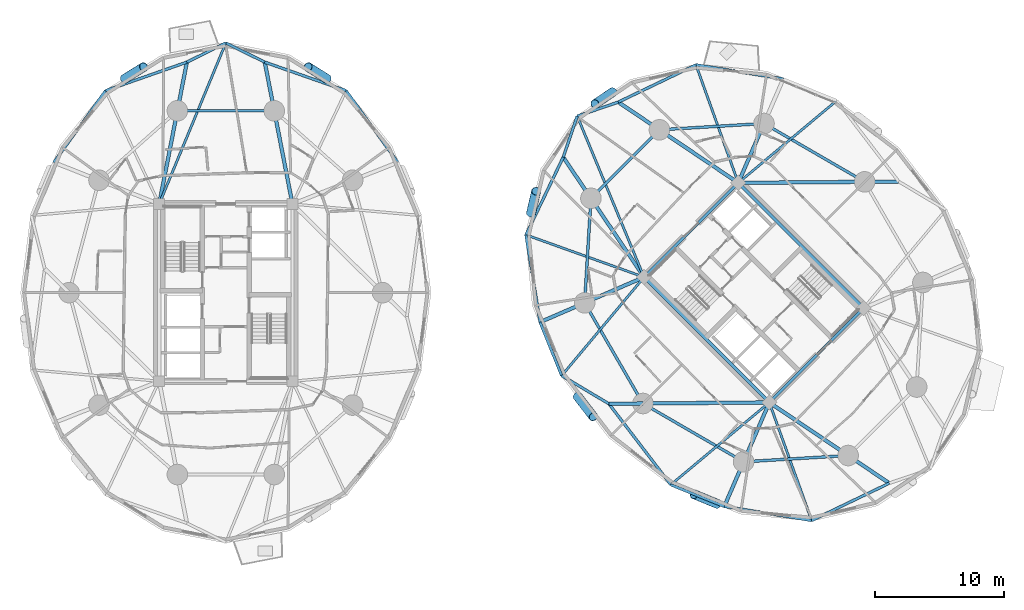
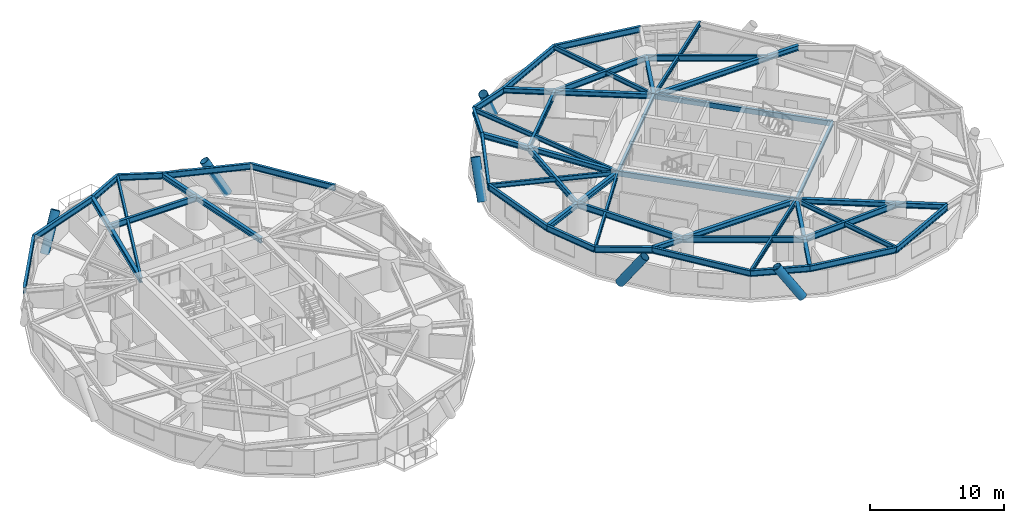
# One storey, part 5 of 18: 49 beams, 6 members.
"""IFC4 building model written with IfcOpenShell, lengths in metres."""

from ifc_helpers import new_model, si_unit, direction, frame, origin, origin_2d, place, context, subcontext, project, spatial, hollow_rectangle, hollow_circle, i_section, extrude, material, material_profile, profile_set, type_object, element, save


model = new_model("IFC4")

# Units and contexts
model_context = context("Model", 3, precision=1e-05, world=origin(), true_north=direction((0.0, 1.0)))
body_context = subcontext(model_context, "Body", "Model", "MODEL_VIEW")
ifc_project = project(units=[si_unit("LENGTHUNIT", "METRE"), si_unit("AREAUNIT", "SQUARE_METRE"), si_unit("VOLUMEUNIT", "CUBIC_METRE"), si_unit("PLANEANGLEUNIT", "RADIAN"), si_unit("MASSUNIT", "GRAM", prefix="KILO")], contexts=[model_context])

# Site, building, storey
site_placement = place(None, origin())
site = spatial("IfcSite", under=ifc_project, at=site_placement, CompositionType="ELEMENT")
building_placement = place(site_placement, origin())
building = spatial("IfcBuilding", under=site, at=building_placement, Name="Cununo Teusaquillo Station Towers", CompositionType="ELEMENT")
storey_placement = place(building_placement, frame((0.0, 0.0, 51.10009765625)))
storey = spatial("IfcBuildingStorey", under=building, at=storey_placement, Name="L15", CompositionType="ELEMENT", Elevation=51.10009765625)

# Beams
ifc_material_1 = material(Name="Steel EN 10025-2 S355J2", Category="steel")
ifc_material_profile_1 = material_profile(ifc_material_1, hollow_rectangle(XDim=0.25, YDim=0.449951171875, WallThickness=0.01611328125, at=origin_2d()), Name="RHS 450x250x16")
ifc_profile_set_1 = profile_set([ifc_material_profile_1], Name="Steel EN 10025-2 S355J2")
beam_type_1 = type_object("IfcBeamType", Name="BM-COUP-1", PredefinedType="USERDEFINED", material=ifc_profile_set_1)
for number, where, z_axis, x_axis, name in (
    (1, (58.70556640625, 15.975830078125, 2.4248046875), (-0.707106781187, 0.707106781187, 0.0), (-0.707106781187, -0.707106781187, 0.0), "L15 Tower B Core Beam 1"),
    (2, (66.024169921875, 23.29443359375, 2.4248046875), (-0.707106781187, 0.707106781187, 0.0), (-0.707106781187, -0.707106781187, 0.0), "L15 Tower B Core Beam 2"),
):
    element("IfcBeam", number, at=place(storey_placement, frame(where, z_axis=z_axis, x_axis=x_axis)), inside=storey, type_object=beam_type_1, Name=name, ObjectType="COUPLING BEAM", PredefinedType="USERDEFINED", context=body_context, shape_type="SweptSolid", body=[
        extrude(hollow_rectangle(XDim=0.25, YDim=0.449951171875, WallThickness=0.01611328125, at=origin_2d()), origin(), (0.0, 0.0, 1.0), 13.760009765625),
    ])
ifc_material_2 = material(Name="Steel ASTM A572 Grade 50", Category="steel")
ifc_material_profile_2 = material_profile(ifc_material_2, i_section(OverallWidth=0.180908203125, OverallDepth=0.4169921875, WebThickness=0.010986328125, FlangeThickness=0.018310546875, FilletRadius=0.012939453125, at=origin_2d()), Name="W16X57")
ifc_profile_set_2 = profile_set([ifc_material_profile_2], Name="Steel ASTM A572 Grade 50")
beam_type_2 = type_object("IfcBeamType", Name="BM-JOIST-1", PredefinedType="JOIST", material=ifc_profile_set_2)
beam_1_placement = place(storey_placement, frame((11.324951171875, 31.3798828125, 2.44140625), z_axis=(0.382256753081, 0.924056153447, 0.0), x_axis=(-0.924056153447, 0.382256753081, 0.0)))
element("IfcBeam", 3, at=beam_1_placement, inside=storey, type_object=beam_type_2, Name="L15 Tower A Radial Spandrel Joist V05", PredefinedType="JOIST", context=body_context, shape_type="SweptSolid", body=[
    extrude(i_section(OverallWidth=0.180908203125, OverallDepth=0.4169921875, WebThickness=0.010986328125, FlangeThickness=0.018310546875, FilletRadius=0.012939453125, at=origin_2d()), origin(), (0.0, 0.0, 1.0), 13.5380859375),
])
beam_2_placement = place(storey_placement, frame((56.29443359375, 33.024169921875, 2.44140625), z_axis=(0.767277092139, 0.641315728701, 0.0), x_axis=(-0.641315728701, 0.767277092139, 0.0)))
element("IfcBeam", 4, at=beam_2_placement, inside=storey, type_object=beam_type_2, Name="L15 Tower B Radial Spandrel Joist V01", PredefinedType="JOIST", context=body_context, shape_type="SweptSolid", body=[
    extrude(i_section(OverallWidth=0.180908203125, OverallDepth=0.4169921875, WebThickness=0.010986328125, FlangeThickness=0.018310546875, FilletRadius=0.012939453125, at=origin_2d()), origin(), (0.0, 0.0, 1.0), 9.97021484375),
])
beam_3_placement = place(storey_placement, frame((56.29443359375, 33.024169921875, 2.44140625), z_axis=(-0.337279411522, 0.941404588136, 0.0), x_axis=(-0.941404588136, -0.337279411522, 0.0)))
element("IfcBeam", 5, at=beam_3_placement, inside=storey, type_object=beam_type_2, Name="L15 Tower B Radial Spandrel Joist V03", PredefinedType="JOIST", context=body_context, shape_type="SweptSolid", body=[
    extrude(i_section(OverallWidth=0.180908203125, OverallDepth=0.4169921875, WebThickness=0.010986328125, FlangeThickness=0.018310546875, FilletRadius=0.012939453125, at=origin_2d()), origin(), (0.0, 0.0, 1.0), 9.740234375),
])
beam_4_placement = place(storey_placement, frame((48.975830078125, 25.70556640625, 2.44140625), z_axis=(-0.383107724927, 0.923703670612, 0.0), x_axis=(-0.923703670612, -0.383107724927, 0.0)))
element("IfcBeam", 6, at=beam_4_placement, inside=storey, type_object=beam_type_2, Name="L15 Tower B Radial Spandrel Joist V05", PredefinedType="JOIST", context=body_context, shape_type="SweptSolid", body=[
    extrude(i_section(OverallWidth=0.180908203125, OverallDepth=0.4169921875, WebThickness=0.010986328125, FlangeThickness=0.018310546875, FilletRadius=0.012939453125, at=origin_2d()), origin(), (0.0, 0.0, 1.0), 13.5380859375),
])
beam_5_placement = place(storey_placement, frame((48.975830078125, 25.70556640625, 2.44140625), z_axis=(-0.941404588136, 0.337279411522, 0.0), x_axis=(-0.337279411522, -0.941404588136, 0.0)))
element("IfcBeam", 7, at=beam_5_placement, inside=storey, type_object=beam_type_2, Name="L15 Tower B Radial Spandrel Joist V07", PredefinedType="JOIST", context=body_context, shape_type="SweptSolid", body=[
    extrude(i_section(OverallWidth=0.180908203125, OverallDepth=0.4169921875, WebThickness=0.010986328125, FlangeThickness=0.018310546875, FilletRadius=0.012939453125, at=origin_2d()), origin(), (0.0, 0.0, 1.0), 9.740234375),
])
for number, where, z_axis, x_axis, name in (
    (8, (48.975830078125, 25.70556640625, 2.44140625), (-0.641315728701, -0.767277092139, 0.0), (0.767277092139, -0.641315728701, 0.0), "L15 Tower B Radial Spandrel Joist V09"),
    (9, (58.70556640625, 15.975830078125, 2.44140625), (-0.767277092139, -0.641315728701, 0.0), (0.641315728701, -0.767277092139, 0.0), "L15 Tower B Radial Spandrel Joist V11"),
):
    element("IfcBeam", number, at=place(storey_placement, frame(where, z_axis=z_axis, x_axis=x_axis)), inside=storey, type_object=beam_type_2, Name=name, PredefinedType="JOIST", context=body_context, shape_type="SweptSolid", body=[
        extrude(i_section(OverallWidth=0.180908203125, OverallDepth=0.4169921875, WebThickness=0.010986328125, FlangeThickness=0.018310546875, FilletRadius=0.012939453125, at=origin_2d()), origin(), (0.0, 0.0, 1.0), 9.97021484375),
    ])
beam_6_placement = place(storey_placement, frame((58.70556640625, 15.975830078125, 2.44140625), z_axis=(0.337279411522, -0.941404588136, 0.0), x_axis=(0.941404588136, 0.337279411522, 0.0)))
element("IfcBeam", 10, at=beam_6_placement, inside=storey, type_object=beam_type_2, Name="L15 Tower B Radial Spandrel Joist V13", PredefinedType="JOIST", context=body_context, shape_type="SweptSolid", body=[
    extrude(i_section(OverallWidth=0.180908203125, OverallDepth=0.4169921875, WebThickness=0.010986328125, FlangeThickness=0.018310546875, FilletRadius=0.012939453125, at=origin_2d()), origin(), (0.0, 0.0, 1.0), 9.740234375),
])
ifc_material_3 = material(Name="Steel ASTM A572 Grade 50", Category="steel")
ifc_material_profile_3 = material_profile(ifc_material_3, i_section(OverallWidth=0.2041015625, OverallDepth=0.35009765625, WebThickness=0.008544921875, FlangeThickness=0.01513671875, FilletRadius=0.011962890625, at=origin_2d()), Name="W14X48")
ifc_profile_set_3 = profile_set([ifc_material_profile_3], Name="Steel ASTM A572 Grade 50")
beam_type_3 = type_object("IfcBeamType", Name="BM-LINTEL-1", PredefinedType="LINTEL", material=ifc_profile_set_3)
for number, where, z_axis, x_axis, name in (
    (11, (58.70556640625, 15.975830078125, 2.474853515625), (0.707106781187, 0.707106781187, 0.0), (-0.707106781187, 0.707106781187, 0.0), "L15 Tower B Core Beam 3"),
    (12, (48.975830078125, 25.70556640625, 2.474853515625), (0.707106781187, 0.707106781187, 0.0), (-0.707106781187, 0.707106781187, 0.0), "L15 Tower B Core Beam 4"),
):
    element("IfcBeam", number, at=place(storey_placement, frame(where, z_axis=z_axis, x_axis=x_axis)), inside=storey, type_object=beam_type_3, Name=name, PredefinedType="LINTEL", context=body_context, shape_type="SweptSolid", body=[
        extrude(i_section(OverallWidth=0.2041015625, OverallDepth=0.35009765625, WebThickness=0.008544921875, FlangeThickness=0.01513671875, FilletRadius=0.011962890625, at=origin_2d()), origin(), (0.0, 0.0, 1.0), 10.35009765625),
    ])
ifc_material_4 = material(Name="Steel ASTM A572 Grade 50", Category="steel")
ifc_material_profile_4 = material_profile(ifc_material_4, i_section(OverallWidth=0.280029296875, OverallDepth=0.462890625, WebThickness=0.0107421875, FlangeThickness=0.017333984375, FilletRadius=0.013916015625, at=origin_2d()), Name="W18X76")
ifc_profile_set_4 = profile_set([ifc_material_profile_4], Name="Steel ASTM A572 Grade 50")
beam_type_4 = type_object("IfcBeamType", Name="BM-RAD-G1", PredefinedType="BEAM", material=ifc_profile_set_4)
for number, where, z_axis, x_axis, name in (
    (13, (21.675048828125, 31.3798828125, 2.41845703125), (-0.191552755713, 0.981482318628, 0.0), (-0.981482318628, -0.191552755713, 0.0), "L15 Tower A Continuous Overhanging Radial Girder 03"),
    (14, (11.324951171875, 31.3798828125, 2.41845703125), (0.191552755713, 0.981482318628, 0.0), (-0.981482318628, 0.191552755713, 0.0), "L15 Tower A Continuous Overhanging Radial Girder 04"),
):
    element("IfcBeam", number, at=place(storey_placement, frame(where, z_axis=z_axis, x_axis=x_axis)), inside=storey, type_object=beam_type_4, Name=name, PredefinedType="BEAM", context=body_context, shape_type="SweptSolid", body=[
        extrude(i_section(OverallWidth=0.280029296875, OverallDepth=0.462890625, WebThickness=0.0107421875, FlangeThickness=0.017333984375, FilletRadius=0.013916015625, at=origin_2d()), origin(), (0.0, 0.0, 1.0), 11.22998046875),
    ])
beam_7_placement = place(storey_placement, frame((56.29443359375, 33.024169921875, 2.41845703125), z_axis=(0.999964334348, 0.008445710917, 0.0), x_axis=(-0.008445710917, 0.999964334348, 0.0)))
element("IfcBeam", 15, at=beam_7_placement, inside=storey, type_object=beam_type_4, Name="L15 Tower B Continuous Overhanging Radial Girder 01", PredefinedType="BEAM", context=body_context, shape_type="SweptSolid", body=[
    extrude(i_section(OverallWidth=0.280029296875, OverallDepth=0.462890625, WebThickness=0.0107421875, FlangeThickness=0.017333984375, FilletRadius=0.013916015625, at=origin_2d()), origin(), (0.0, 0.0, 1.0), 12.458984375),
])
beam_8_placement = place(storey_placement, frame((56.29443359375, 33.024169921875, 2.41845703125), z_axis=(0.397346986387, 0.917668443616, 0.0), x_axis=(-0.917668443616, 0.397346986387, 0.0)))
element("IfcBeam", 16, at=beam_8_placement, inside=storey, type_object=beam_type_4, Name="L15 Tower B Radial Girder 02A", PredefinedType="BEAM", context=body_context, shape_type="SweptSolid", body=[
    extrude(i_section(OverallWidth=0.280029296875, OverallDepth=0.462890625, WebThickness=0.0107421875, FlangeThickness=0.017333984375, FilletRadius=0.013916015625, at=origin_2d()), origin(), (0.0, 0.0, 1.0), 5.02490234375),
])
for number, where, z_axis, x_axis, name in (
    (17, (56.29443359375, 33.024169921875, 2.41845703125), (-0.82945583878, 0.558572297481, 0.0), (-0.558572297481, -0.82945583878, 0.0), "L15 Tower B Continuous Overhanging Radial Girder 03"),
    (18, (48.975830078125, 25.70556640625, 2.41845703125), (-0.558572297481, 0.82945583878, 0.0), (-0.82945583878, -0.558572297481, 0.0), "L15 Tower B Continuous Overhanging Radial Girder 04"),
):
    element("IfcBeam", number, at=place(storey_placement, frame(where, z_axis=z_axis, x_axis=x_axis)), inside=storey, type_object=beam_type_4, Name=name, PredefinedType="BEAM", context=body_context, shape_type="SweptSolid", body=[
        extrude(i_section(OverallWidth=0.280029296875, OverallDepth=0.462890625, WebThickness=0.0107421875, FlangeThickness=0.017333984375, FilletRadius=0.013916015625, at=origin_2d()), origin(), (0.0, 0.0, 1.0), 11.22998046875),
    ])
beam_9_placement = place(storey_placement, frame((48.975830078125, 25.70556640625, 2.41845703125), z_axis=(-0.917660203996, -0.397366015157, 0.0), x_axis=(0.397366015157, -0.917660203996, 0.0)))
element("IfcBeam", 19, at=beam_9_placement, inside=storey, type_object=beam_type_4, Name="L15 Tower B Continuous Overhanging Radial Girder 05", PredefinedType="BEAM", context=body_context, shape_type="SweptSolid", body=[
    extrude(i_section(OverallWidth=0.280029296875, OverallDepth=0.462890625, WebThickness=0.0107421875, FlangeThickness=0.017333984375, FilletRadius=0.013916015625, at=origin_2d()), origin(), (0.0, 0.0, 1.0), 8.798095703125),
])
beam_10_placement = place(storey_placement, frame((58.70556640625, 15.975830078125, 2.41845703125), z_axis=(-0.999964431382, -0.008434214327, 0.0), x_axis=(0.008434214327, -0.999964431382, 0.0)))
element("IfcBeam", 20, at=beam_10_placement, inside=storey, type_object=beam_type_4, Name="L15 Tower B Radial Girder 06A", PredefinedType="BEAM", context=body_context, shape_type="SweptSolid", body=[
    extrude(i_section(OverallWidth=0.280029296875, OverallDepth=0.462890625, WebThickness=0.0107421875, FlangeThickness=0.017333984375, FilletRadius=0.013916015625, at=origin_2d()), origin(), (0.0, 0.0, 1.0), 9.812744140625),
])
beam_11_placement = place(storey_placement, frame((48.89306640625, 15.89306640625, 2.41845703125), z_axis=(-0.999963973349, -0.008488345225, 0.0), x_axis=(0.008488345225, -0.999963973349, 0.0)))
element("IfcBeam", 21, at=beam_11_placement, inside=storey, type_object=beam_type_4, Name="L15 Tower B Perimeter Overhang Girder 06B", PredefinedType="BEAM", context=body_context, shape_type="SweptSolid", body=[
    extrude(i_section(OverallWidth=0.280029296875, OverallDepth=0.462890625, WebThickness=0.0107421875, FlangeThickness=0.017333984375, FilletRadius=0.013916015625, at=origin_2d()), origin(), (0.0, 0.0, 1.0), 2.64599609375),
])
beam_12_placement = place(storey_placement, frame((58.70556640625, 15.975830078125, 2.41845703125), z_axis=(-0.397366015157, -0.917660203996, 0.0), x_axis=(0.917660203996, -0.397366015157, 0.0)))
element("IfcBeam", 22, at=beam_12_placement, inside=storey, type_object=beam_type_4, Name="L15 Tower B Continuous Overhanging Radial Girder 07", PredefinedType="BEAM", context=body_context, shape_type="SweptSolid", body=[
    extrude(i_section(OverallWidth=0.280029296875, OverallDepth=0.462890625, WebThickness=0.0107421875, FlangeThickness=0.017333984375, FilletRadius=0.013916015625, at=origin_2d()), origin(), (0.0, 0.0, 1.0), 8.798095703125),
])
beam_13_placement = place(storey_placement, frame((58.70556640625, 15.975830078125, 2.41845703125), z_axis=(0.82945583878, -0.558572297481, 0.0), x_axis=(0.558572297481, 0.82945583878, 0.0)))
element("IfcBeam", 23, at=beam_13_placement, inside=storey, type_object=beam_type_4, Name="L15 Tower B Continuous Overhanging Radial Girder 08", PredefinedType="BEAM", context=body_context, shape_type="SweptSolid", body=[
    extrude(i_section(OverallWidth=0.280029296875, OverallDepth=0.462890625, WebThickness=0.0107421875, FlangeThickness=0.017333984375, FilletRadius=0.013916015625, at=origin_2d()), origin(), (0.0, 0.0, 1.0), 11.22998046875),
])
ifc_material_5 = material(Name="Steel ASTM A572 Grade 50", Category="steel")
ifc_material_profile_5 = material_profile(ifc_material_5, i_section(OverallWidth=0.214111328125, OverallDepth=0.549072265625, WebThickness=0.0146484375, FlangeThickness=0.023681640625, FilletRadius=0.014892578125, at=origin_2d()), Name="W21X93")
ifc_profile_set_5 = profile_set([ifc_material_profile_5], Name="Steel ASTM A572 Grade 50")
beam_type_5 = type_object("IfcBeamType", Name="BM-RING-Z1", PredefinedType="SPANDREL", material=ifc_profile_set_5)
beam_14_placement = place(storey_placement, frame((20.261474609375, 38.623291015625, 2.37548828125), z_axis=(-1.0, 0.0, 0.0), x_axis=(0.0, -1.0, 0.0)))
element("IfcBeam", 24, at=beam_14_placement, inside=storey, type_object=beam_type_5, Name="L15 Tower A Structural Column Ring Girder 03", PredefinedType="SPANDREL", context=body_context, shape_type="SweptSolid", body=[
    extrude(i_section(OverallWidth=0.214111328125, OverallDepth=0.549072265625, WebThickness=0.0146484375, FlangeThickness=0.023681640625, FilletRadius=0.014892578125, at=origin_2d()), origin(), (0.0, 0.0, 1.0), 7.52294921875),
])
beam_15_placement = place(storey_placement, frame((29.856201171875, 34.61669921875, 2.37548828125), z_axis=(-0.585268642749, 0.810839451319, 0.0), x_axis=(-0.810839451319, -0.585268642749, 0.0)))
element("IfcBeam", 25, at=beam_15_placement, inside=storey, type_object=beam_type_5, Name="L15 Tower A Spandrel Ring Beam 03", PredefinedType="SPANDREL", context=body_context, shape_type="SweptSolid", body=[
    extrude(i_section(OverallWidth=0.214111328125, OverallDepth=0.549072265625, WebThickness=0.0146484375, FlangeThickness=0.023681640625, FilletRadius=0.014892578125, at=origin_2d()), origin(), (0.0, 0.0, 1.0), 6.86962890625),
])
beam_16_placement = place(storey_placement, frame((25.835693359375, 40.186767578125, 2.37548828125), z_axis=(-0.943579776012, 0.33114529485, 0.0), x_axis=(-0.33114529485, -0.943579776012, 0.0)))
element("IfcBeam", 26, at=beam_16_placement, inside=storey, type_object=beam_type_5, Name="L15 Tower A Spandrel Ring Beam 04", PredefinedType="SPANDREL", context=body_context, shape_type="SweptSolid", body=[
    extrude(i_section(OverallWidth=0.214111328125, OverallDepth=0.549072265625, WebThickness=0.0146484375, FlangeThickness=0.023681640625, FilletRadius=0.014892578125, at=origin_2d()), origin(), (0.0, 0.0, 1.0), 6.689208984375),
])
for number, where, z_axis, x_axis, name in (
    (27, (19.52392578125, 42.40185546875, 2.37548828125), (-0.8972488299, 0.441525239645, 0.0), (-0.441525239645, -0.8972488299, 0.0), "L15 Tower A Spandrel Ring Beam 05"),
    (28, (16.5, 43.889892578125, 2.37548828125), (-0.8972488299, -0.441525239645, 0.0), (0.441525239645, -0.8972488299, 0.0), "L15 Tower A Spandrel Ring Beam 06"),
):
    element("IfcBeam", number, at=place(storey_placement, frame(where, z_axis=z_axis, x_axis=x_axis)), inside=storey, type_object=beam_type_5, Name=name, PredefinedType="SPANDREL", context=body_context, shape_type="SweptSolid", body=[
        extrude(i_section(OverallWidth=0.214111328125, OverallDepth=0.549072265625, WebThickness=0.0146484375, FlangeThickness=0.023681640625, FilletRadius=0.014892578125, at=origin_2d()), origin(), (0.0, 0.0, 1.0), 3.3701171875),
    ])
beam_17_placement = place(storey_placement, frame((13.47607421875, 42.40185546875, 2.37548828125), z_axis=(-0.943579776012, -0.33114529485, 0.0), x_axis=(0.33114529485, -0.943579776012, 0.0)))
element("IfcBeam", 29, at=beam_17_placement, inside=storey, type_object=beam_type_5, Name="L15 Tower A Spandrel Ring Beam 07", PredefinedType="SPANDREL", context=body_context, shape_type="SweptSolid", body=[
    extrude(i_section(OverallWidth=0.214111328125, OverallDepth=0.549072265625, WebThickness=0.0146484375, FlangeThickness=0.023681640625, FilletRadius=0.014892578125, at=origin_2d()), origin(), (0.0, 0.0, 1.0), 6.689208984375),
])
beam_18_placement = place(storey_placement, frame((7.164306640625, 40.186767578125, 2.37548828125), z_axis=(-0.585268642749, -0.810839451319, 0.0), x_axis=(0.810839451319, -0.585268642749, 0.0)))
element("IfcBeam", 30, at=beam_18_placement, inside=storey, type_object=beam_type_5, Name="L15 Tower A Spandrel Ring Beam 08", PredefinedType="SPANDREL", context=body_context, shape_type="SweptSolid", body=[
    extrude(i_section(OverallWidth=0.214111328125, OverallDepth=0.549072265625, WebThickness=0.0146484375, FlangeThickness=0.023681640625, FilletRadius=0.014892578125, at=origin_2d()), origin(), (0.0, 0.0, 1.0), 6.86962890625),
])
beam_19_placement = place(storey_placement, frame((66.10693359375, 33.10693359375, 2.37548828125), z_axis=(-0.865267103202, 0.501311121078, 0.0), x_axis=(-0.501311121078, -0.865267103202, 0.0)))
element("IfcBeam", 31, at=beam_19_placement, inside=storey, type_object=beam_type_5, Name="L15 Tower B Structural Column Ring Girder 01", PredefinedType="SPANDREL", context=body_context, shape_type="SweptSolid", body=[
    extrude(i_section(OverallWidth=0.214111328125, OverallDepth=0.549072265625, WebThickness=0.0146484375, FlangeThickness=0.023681640625, FilletRadius=0.014892578125, at=origin_2d()), origin(), (0.0, 0.0, 1.0), 9.032958984375),
])
beam_20_placement = place(storey_placement, frame((58.291015625, 37.63525390625, 2.37548828125), z_axis=(-0.998190567048, -0.06012979176, 0.0), x_axis=(0.06012979176, -0.998190567048, 0.0)))
element("IfcBeam", 32, at=beam_20_placement, inside=storey, type_object=beam_type_5, Name="L15 Tower B Structural Column Ring Girder 02", PredefinedType="SPANDREL", context=body_context, shape_type="SweptSolid", body=[
    extrude(i_section(OverallWidth=0.214111328125, OverallDepth=0.549072265625, WebThickness=0.0146484375, FlangeThickness=0.023681640625, FilletRadius=0.014892578125, at=origin_2d()), origin(), (0.0, 0.0, 1.0), 8.132568359375),
])
beam_21_placement = place(storey_placement, frame((50.173095703125, 37.146240234375, 2.37548828125), z_axis=(-0.707106781187, -0.707106781187, 0.0), x_axis=(0.707106781187, -0.707106781187, 0.0)))
element("IfcBeam", 33, at=beam_21_placement, inside=storey, type_object=beam_type_5, Name="L15 Tower B Structural Column Ring Girder 03", PredefinedType="SPANDREL", context=body_context, shape_type="SweptSolid", body=[
    extrude(i_section(OverallWidth=0.214111328125, OverallDepth=0.549072265625, WebThickness=0.0146484375, FlangeThickness=0.023681640625, FilletRadius=0.014892578125, at=origin_2d()), origin(), (0.0, 0.0, 1.0), 7.522705078125),
])
beam_22_placement = place(storey_placement, frame((44.853759765625, 31.826904296875, 2.37548828125), z_axis=(-0.06012979176, -0.998190567048, 0.0), x_axis=(0.998190567048, -0.06012979176, 0.0)))
element("IfcBeam", 34, at=beam_22_placement, inside=storey, type_object=beam_type_5, Name="L15 Tower B Structural Column Ring Girder 04", PredefinedType="SPANDREL", context=body_context, shape_type="SweptSolid", body=[
    extrude(i_section(OverallWidth=0.214111328125, OverallDepth=0.549072265625, WebThickness=0.0146484375, FlangeThickness=0.023681640625, FilletRadius=0.014892578125, at=origin_2d()), origin(), (0.0, 0.0, 1.0), 8.132568359375),
])
for number, where, z_axis, x_axis, name in (
    (35, (44.36474609375, 23.708984375, 2.37548828125), (0.501311121078, -0.865267103202, 0.0), (0.865267103202, 0.501311121078, 0.0), "L15 Tower B Structural Column Ring Girder 05"),
    (36, (48.89306640625, 15.89306640625, 2.37548828125), (0.865267103202, -0.501311121078, 0.0), (0.501311121078, 0.865267103202, 0.0), "L15 Tower B Structural Column Ring Girder 06"),
):
    element("IfcBeam", number, at=place(storey_placement, frame(where, z_axis=z_axis, x_axis=x_axis)), inside=storey, type_object=beam_type_5, Name=name, PredefinedType="SPANDREL", context=body_context, shape_type="SweptSolid", body=[
        extrude(i_section(OverallWidth=0.214111328125, OverallDepth=0.549072265625, WebThickness=0.0146484375, FlangeThickness=0.023681640625, FilletRadius=0.014892578125, at=origin_2d()), origin(), (0.0, 0.0, 1.0), 9.032958984375),
    ])
beam_23_placement = place(storey_placement, frame((56.708984375, 11.36474609375, 2.37548828125), z_axis=(0.998190567048, 0.06012979176, 0.0), x_axis=(-0.06012979176, 0.998190567048, 0.0)))
element("IfcBeam", 37, at=beam_23_placement, inside=storey, type_object=beam_type_5, Name="L15 Tower B Structural Column Ring Girder 07", PredefinedType="SPANDREL", context=body_context, shape_type="SweptSolid", body=[
    extrude(i_section(OverallWidth=0.214111328125, OverallDepth=0.549072265625, WebThickness=0.0146484375, FlangeThickness=0.023681640625, FilletRadius=0.014892578125, at=origin_2d()), origin(), (0.0, 0.0, 1.0), 8.132568359375),
])
beam_24_placement = place(storey_placement, frame((59.79052734375, 41.097900390625, 2.37548828125), z_axis=(-0.987196384793, 0.15950955411, 0.0), x_axis=(-0.15950955411, -0.987196384793, 0.0)))
element("IfcBeam", 38, at=beam_24_placement, inside=storey, type_object=beam_type_5, Name="L15 Tower B Spandrel Ring Beam 03", PredefinedType="SPANDREL", context=body_context, shape_type="SweptSolid", body=[
    extrude(i_section(OverallWidth=0.214111328125, OverallDepth=0.549072265625, WebThickness=0.0146484375, FlangeThickness=0.023681640625, FilletRadius=0.014892578125, at=origin_2d()), origin(), (0.0, 0.0, 1.0), 6.869140625),
])
beam_25_placement = place(storey_placement, frame((53.00927734375, 42.193603515625, 2.37548828125), z_axis=(-0.901374357189, -0.433040723491, 0.0), x_axis=(0.433040723491, -0.901374357189, 0.0)))
element("IfcBeam", 39, at=beam_25_placement, inside=storey, type_object=beam_type_5, Name="L15 Tower B Spandrel Ring Beam 04", PredefinedType="SPANDREL", context=body_context, shape_type="SweptSolid", body=[
    extrude(i_section(OverallWidth=0.214111328125, OverallDepth=0.549072265625, WebThickness=0.0146484375, FlangeThickness=0.023681640625, FilletRadius=0.014892578125, at=origin_2d()), origin(), (0.0, 0.0, 1.0), 6.689208984375),
])
for number, where, z_axis, x_axis, name in (
    (40, (46.979736328125, 39.296875, 2.37548828125), (-0.946642852865, -0.322284515794, 0.0), (0.322284515794, -0.946642852865, 0.0), "L15 Tower B Spandrel Ring Beam 05"),
    (41, (43.789306640625, 38.210693359375, 2.37548828125), (-0.322284515794, -0.946642852865, 0.0), (0.946642852865, -0.322284515794, 0.0), "L15 Tower B Spandrel Ring Beam 06"),
):
    element("IfcBeam", number, at=place(storey_placement, frame(where, z_axis=z_axis, x_axis=x_axis)), inside=storey, type_object=beam_type_5, Name=name, PredefinedType="SPANDREL", context=body_context, shape_type="SweptSolid", body=[
        extrude(i_section(OverallWidth=0.214111328125, OverallDepth=0.549072265625, WebThickness=0.0146484375, FlangeThickness=0.023681640625, FilletRadius=0.014892578125, at=origin_2d()), origin(), (0.0, 0.0, 1.0), 3.370361328125),
    ])
beam_26_placement = place(storey_placement, frame((42.703125, 35.020263671875, 2.37548828125), z_axis=(-0.433040723491, -0.901374357189, 0.0), x_axis=(0.901374357189, -0.433040723491, 0.0)))
element("IfcBeam", 42, at=beam_26_placement, inside=storey, type_object=beam_type_5, Name="L15 Tower B Spandrel Ring Beam 07", PredefinedType="SPANDREL", context=body_context, shape_type="SweptSolid", body=[
    extrude(i_section(OverallWidth=0.214111328125, OverallDepth=0.549072265625, WebThickness=0.0146484375, FlangeThickness=0.023681640625, FilletRadius=0.014892578125, at=origin_2d()), origin(), (0.0, 0.0, 1.0), 6.689208984375),
])
beam_27_placement = place(storey_placement, frame((39.806396484375, 28.99072265625, 2.37548828125), z_axis=(0.15950955411, -0.987196384793, 0.0), x_axis=(0.987196384793, 0.15950955411, 0.0)))
element("IfcBeam", 43, at=beam_27_placement, inside=storey, type_object=beam_type_5, Name="L15 Tower B Spandrel Ring Beam 08", PredefinedType="SPANDREL", context=body_context, shape_type="SweptSolid", body=[
    extrude(i_section(OverallWidth=0.214111328125, OverallDepth=0.549072265625, WebThickness=0.0146484375, FlangeThickness=0.023681640625, FilletRadius=0.014892578125, at=origin_2d()), origin(), (0.0, 0.0, 1.0), 6.869140625),
])
beam_28_placement = place(storey_placement, frame((40.902099609375, 22.20947265625, 2.37548828125), z_axis=(0.374882843411, -0.927072194447, 0.0), x_axis=(0.927072194447, 0.374882843411, 0.0)))
element("IfcBeam", 44, at=beam_28_placement, inside=storey, type_object=beam_type_5, Name="L15 Tower B Spandrel Ring Beam 09", PredefinedType="SPANDREL", context=body_context, shape_type="SweptSolid", body=[
    extrude(i_section(OverallWidth=0.214111328125, OverallDepth=0.549072265625, WebThickness=0.0146484375, FlangeThickness=0.023681640625, FilletRadius=0.014892578125, at=origin_2d()), origin(), (0.0, 0.0, 1.0), 4.48046875),
])
beam_29_placement = place(storey_placement, frame((42.581787109375, 18.0556640625, 2.37548828125), z_axis=(0.858948426011, -0.512062107027, 0.0), x_axis=(0.512062107027, 0.858948426011, 0.0)))
element("IfcBeam", 45, at=beam_29_placement, inside=storey, type_object=beam_type_5, Name="L15 Tower B Spandrel Ring Beam 10", PredefinedType="SPANDREL", context=body_context, shape_type="SweptSolid", body=[
    extrude(i_section(OverallWidth=0.214111328125, OverallDepth=0.549072265625, WebThickness=0.0146484375, FlangeThickness=0.023681640625, FilletRadius=0.014892578125, at=origin_2d()), origin(), (0.0, 0.0, 1.0), 4.26708984375),
])
beam_30_placement = place(storey_placement, frame((46.2470703125, 15.87060546875, 2.37548828125), z_axis=(0.607410042696, -0.794388469222, 0.0), x_axis=(0.794388469222, 0.607410042696, 0.0)))
element("IfcBeam", 46, at=beam_30_placement, inside=storey, type_object=beam_type_5, Name="L15 Tower B Spandrel Ring Beam 11", PredefinedType="SPANDREL", context=body_context, shape_type="SweptSolid", body=[
    extrude(i_section(OverallWidth=0.214111328125, OverallDepth=0.549072265625, WebThickness=0.0146484375, FlangeThickness=0.023681640625, FilletRadius=0.014892578125, at=origin_2d()), origin(), (0.0, 0.0, 1.0), 7.91650390625),
])
beam_31_placement = place(storey_placement, frame((51.0556640625, 9.581787109375, 2.37548828125), z_axis=(0.927072194447, -0.374882843411, 0.0), x_axis=(0.374882843411, 0.927072194447, 0.0)))
element("IfcBeam", 47, at=beam_31_placement, inside=storey, type_object=beam_type_5, Name="L15 Tower B Spandrel Ring Beam 12", PredefinedType="SPANDREL", context=body_context, shape_type="SweptSolid", body=[
    extrude(i_section(OverallWidth=0.214111328125, OverallDepth=0.549072265625, WebThickness=0.0146484375, FlangeThickness=0.023681640625, FilletRadius=0.014892578125, at=origin_2d()), origin(), (0.0, 0.0, 1.0), 4.48046875),
])
beam_32_placement = place(storey_placement, frame((55.20947265625, 7.902099609375, 2.37548828125), z_axis=(0.987196384793, -0.15950955411, 0.0), x_axis=(0.15950955411, 0.987196384793, 0.0)))
element("IfcBeam", 48, at=beam_32_placement, inside=storey, type_object=beam_type_5, Name="L15 Tower B Spandrel Ring Beam 13", PredefinedType="SPANDREL", context=body_context, shape_type="SweptSolid", body=[
    extrude(i_section(OverallWidth=0.214111328125, OverallDepth=0.549072265625, WebThickness=0.0146484375, FlangeThickness=0.023681640625, FilletRadius=0.014892578125, at=origin_2d()), origin(), (0.0, 0.0, 1.0), 6.869140625),
])
beam_33_placement = place(storey_placement, frame((61.99072265625, 6.806396484375, 2.37548828125), z_axis=(0.901374357189, 0.433040723491, 0.0), x_axis=(-0.433040723491, 0.901374357189, 0.0)))
element("IfcBeam", 49, at=beam_33_placement, inside=storey, type_object=beam_type_5, Name="L15 Tower B Spandrel Ring Beam 14", PredefinedType="SPANDREL", context=body_context, shape_type="SweptSolid", body=[
    extrude(i_section(OverallWidth=0.214111328125, OverallDepth=0.549072265625, WebThickness=0.0146484375, FlangeThickness=0.023681640625, FilletRadius=0.014892578125, at=origin_2d()), origin(), (0.0, 0.0, 1.0), 6.689208984375),
])

# Members
ifc_material_6 = material(Name="Steel EN 10025-2 S355J2", Category="steel")
ifc_material_profile_6 = material_profile(ifc_material_6, hollow_circle(Radius=0.360107421875, WallThickness=0.028076171875, at=origin_2d()), Name="CHS 720x28")
ifc_profile_set_6 = profile_set([ifc_material_profile_6], Name="Steel EN 10025-2 S355J2")
member_type = type_object("IfcMemberType", Name="MBR-DIAG-Z1", PredefinedType="BRACE", material=ifc_profile_set_6)
for number, where, z_axis, x_axis, name in (
    (50, (24.35986328125, 41.10498046875, -0.14013671875), (-0.435392615837, 0.270814927303, 0.858540939748), (-0.528166860975, -0.849140604946, 0.0), "L15 Tower A Folded-Zigzag Diagrid Tube C03"),
    (51, (8.64013671875, 41.10498046875, -0.14013671875), (0.435392615837, 0.270814927303, 0.858540939748), (-0.528166860975, 0.849140604946, 0.0), "L15 Tower A Folded-Zigzag Diagrid Tube C06"),
):
    element("IfcMember", number, at=place(storey_placement, frame(where, z_axis=z_axis, x_axis=x_axis)), inside=storey, type_object=member_type, Name=name, PredefinedType="BRACE", context=body_context, shape_type="SweptSolid", body=[
        extrude(hollow_circle(Radius=0.360107421875, WallThickness=0.028076171875, at=origin_2d()), origin(), (0.0, 0.0, 1.0), 3.3896484375),
    ])
member_1_placement = place(storey_placement, frame((46.55029296875, 40.0771484375, -0.14013671875), z_axis=(-0.411696908958, -0.278250324675, 0.867803210395), x_axis=(0.559963432154, -0.828517323084, 0.0)))
element("IfcMember", 52, at=member_1_placement, inside=storey, type_object=member_type, Name="L15 Tower B Folded-Zigzag Diagrid Tube C04", PredefinedType="BRACE", context=body_context, shape_type="SweptSolid", body=[
    extrude(hollow_circle(Radius=0.360107421875, WallThickness=0.028076171875, at=origin_2d()), origin(), (0.0, 0.0, 1.0), 3.353515625),
])
member_2_placement = place(storey_placement, frame((40.20068359375, 30.68359375, -0.14013671875), z_axis=(0.116389119441, 0.499407273641, 0.858513801817), x_axis=(-0.97390126413, 0.226972085785, 0.0)))
element("IfcMember", 53, at=member_2_placement, inside=storey, type_object=member_type, Name="L15 Tower B Folded-Zigzag Diagrid Tube C06", PredefinedType="BRACE", context=body_context, shape_type="SweptSolid", body=[
    extrude(hollow_circle(Radius=0.360107421875, WallThickness=0.028076171875, at=origin_2d()), origin(), (0.0, 0.0, 1.0), 3.3896484375),
])
member_3_placement = place(storey_placement, frame((43.810791015625, 16.460205078125, -0.14013671875), z_axis=(0.347318267814, -0.450858430672, 0.822250993514), x_axis=(0.792195746447, 0.610267072118, 0.0)))
element("IfcMember", 54, at=member_3_placement, inside=storey, type_object=member_type, Name="L15 Tower B Folded-Zigzag Diagrid Tube C09", PredefinedType="BRACE", context=body_context, shape_type="SweptSolid", body=[
    extrude(hollow_circle(Radius=0.360107421875, WallThickness=0.028076171875, at=origin_2d()), origin(), (0.0, 0.0, 1.0), 3.539306640625),
])
member_4_placement = place(storey_placement, frame((54.667236328125, 8.09716796875, -0.14013671875), z_axis=(-0.515311264378, 0.211850960521, 0.830405606515), x_axis=(-0.380234065584, -0.924890293694, 0.0)))
element("IfcMember", 55, at=member_4_placement, inside=storey, type_object=member_type, Name="L15 Tower B Folded-Zigzag Diagrid Tube C11", PredefinedType="BRACE", context=body_context, shape_type="SweptSolid", body=[
    extrude(hollow_circle(Radius=0.360107421875, WallThickness=0.028076171875, at=origin_2d()), origin(), (0.0, 0.0, 1.0), 3.50439453125),
])

save(model, "model.ifc")
